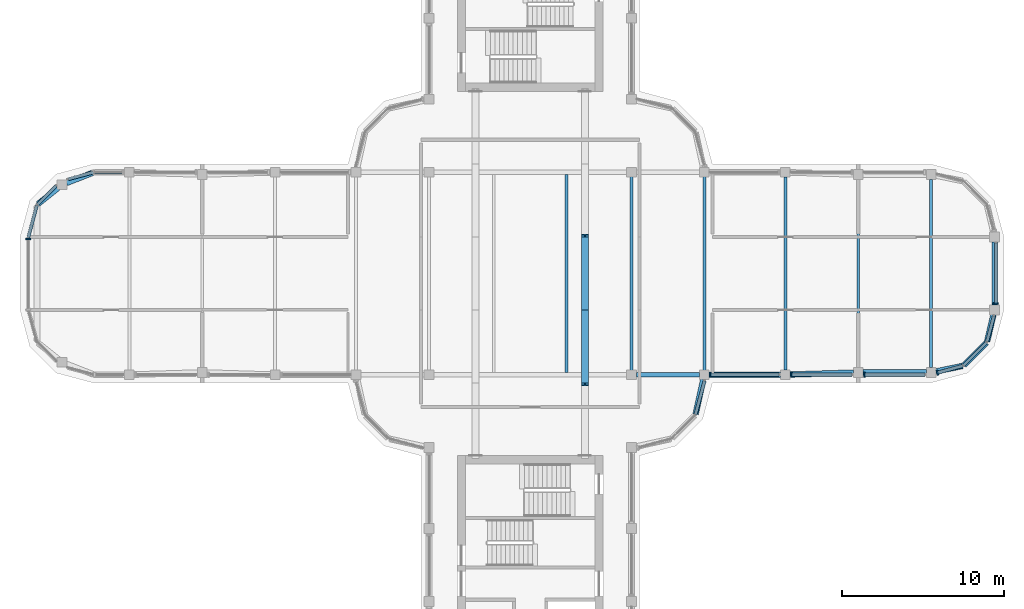
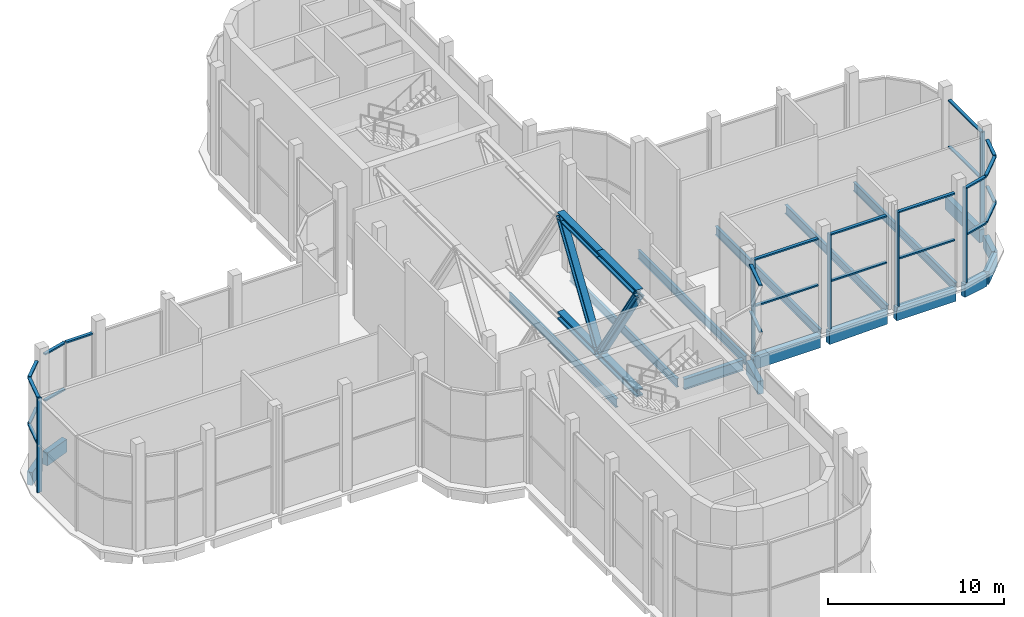
# One storey, part 4 of 15: 35 members, 17 beams, 11 elements without a shape of their own.
"""IFC4 building model written with IfcOpenShell, lengths in metres."""

from ifc_helpers import new_model, si_unit, direction, frame, origin, origin_2d, place, context, subcontext, project, spatial, polyline, rectangle, i_section, outline, extrude, source, transform, mapped, material, material_profile, profile_set, type_object, element, aggregate, save


model = new_model("IFC4")

# Units and contexts
model_context = context("Model", 3, precision=1e-05, world=origin(), true_north=direction((0.0, 1.0)))
body_context = subcontext(model_context, "Body", "Model", "MODEL_VIEW")
ifc_project = project(units=[si_unit("LENGTHUNIT", "METRE"), si_unit("AREAUNIT", "SQUARE_METRE"), si_unit("VOLUMEUNIT", "CUBIC_METRE"), si_unit("PLANEANGLEUNIT", "RADIAN"), si_unit("MASSUNIT", "GRAM", prefix="KILO")], contexts=[model_context])

# Site, building, storey
site_placement = place(None, origin())
site = spatial("IfcSite", under=ifc_project, at=site_placement, CompositionType="ELEMENT")
building_placement = place(site_placement, origin())
building = spatial("IfcBuilding", under=site, at=building_placement, Name="Zarbagh Exchange Tower", CompositionType="ELEMENT")
storey_placement = place(building_placement, frame((0.0, 0.0, 284.0)))
storey = spatial("IfcBuildingStorey", under=building, at=storey_placement, Name="L70", CompositionType="ELEMENT", Elevation=284.0)

# Beams
ifc_material_1 = material(Name="Steel ASTM A992 Gr 50", Category="steel")
ifc_material_profile_1 = material_profile(ifc_material_1, i_section(OverallWidth=0.1787109375, OverallDepth=0.60205078125, WebThickness=0.010986328125, FlangeThickness=0.014892578125, at=origin_2d()), Name="W24X62")
ifc_profile_set_1 = profile_set([ifc_material_profile_1], Name="Steel ASTM A992 Gr 50")
beam_type_1 = type_object("IfcBeamType", Name="Floor beam W24X62", PredefinedType="BEAM", material=ifc_profile_set_1)
for number, where, z_axis, x_axis, name in (
    (1, (2.25, -6.117919921875, -0.450927734375), (0.0, 1.0, 0.0), (-1.0, 0.0, 0.0), "Steel floor beam"),
    (2, (6.25, -6.117919921875, -0.450927734375), (0.0, 1.0, 0.0), (-1.0, 0.0, 0.0), "Steel floor beam"),
    (3, (10.75, -6.117919921875, -0.450927734375), (0.0, 1.0, 0.0), (-1.0, 0.0, 0.0), "Steel floor beam"),
):
    element("IfcBeam", number, at=place(storey_placement, frame(where, z_axis=z_axis, x_axis=x_axis)), inside=storey, type_object=beam_type_1, Name=name, PredefinedType="BEAM", context=body_context, shape_type="SweptSolid", body=[
        extrude(i_section(OverallWidth=0.1787109375, OverallDepth=0.60205078125, WebThickness=0.010986328125, FlangeThickness=0.014892578125, at=origin_2d()), origin(), (0.0, 0.0, 1.0), 12.23583984375),
    ])
beam_1_placement = place(storey_placement, frame((15.75, -5.949951171875, -0.450927734375), z_axis=(0.0, 1.0, 0.0), x_axis=(-1.0, 0.0, 0.0)))
element("IfcBeam", 4, at=beam_1_placement, inside=storey, type_object=beam_type_1, Name="Steel floor beam", PredefinedType="BEAM", context=body_context, shape_type="SweptSolid", body=[
    extrude(i_section(OverallWidth=0.1787109375, OverallDepth=0.60205078125, WebThickness=0.010986328125, FlangeThickness=0.014892578125, at=origin_2d()), origin(), (0.0, 0.0, 1.0), 11.89990234375),
])
for number, where, z_axis, x_axis, name in (
    (5, (20.25, -5.81005859375, -0.450927734375), (0.0, 1.0, 0.0), (-1.0, 0.0, 0.0), "Steel floor beam"),
    (6, (24.75, -5.81005859375, -0.450927734375), (0.0, 1.0, 0.0), (-1.0, 0.0, 0.0), "Steel floor beam"),
):
    element("IfcBeam", number, at=place(storey_placement, frame(where, z_axis=z_axis, x_axis=x_axis)), inside=storey, type_object=beam_type_1, Name=name, PredefinedType="BEAM", context=body_context, shape_type="SweptSolid", body=[
        extrude(i_section(OverallWidth=0.1787109375, OverallDepth=0.60205078125, WebThickness=0.010986328125, FlangeThickness=0.014892578125, at=origin_2d()), origin(), (0.0, 0.0, 1.0), 11.6201171875),
    ])
ifc_material_profile_2 = material_profile(ifc_material_1, i_section(OverallWidth=0.26416015625, OverallDepth=0.749267578125, WebThickness=0.011962890625, FlangeThickness=0.015380859375, at=origin_2d()), Name="W30X90")
ifc_profile_set_2 = profile_set([ifc_material_profile_2], Name="Steel ASTM A992 Gr 50")
beam_type_2 = type_object("IfcBeamType", Name="Floor girder W30X90", PredefinedType="BEAM", material=ifc_profile_set_2)
beam_2_placement = place(storey_placement, frame((6.550048828125, -6.25, -0.524658203125), z_axis=(1.0, 0.0, 0.0), x_axis=(0.0, 1.0, 0.0)))
element("IfcBeam", 7, at=beam_2_placement, inside=storey, type_object=beam_type_2, Name="Steel girder", PredefinedType="BEAM", context=body_context, shape_type="SweptSolid", body=[
    extrude(i_section(OverallWidth=0.26416015625, OverallDepth=0.749267578125, WebThickness=0.011962890625, FlangeThickness=0.015380859375, at=origin_2d()), origin(), (0.0, 0.0, 1.0), 3.89990234375),
])
ifc_material_2 = material(Name="Concrete C40/50", Category="concrete")
ifc_material_profile_3 = material_profile(ifc_material_2, rectangle(XDim=0.35009765625, YDim=0.89990234375, at=origin_2d()), Name="RC spandrel beam 350 x 900 C40/50")
ifc_profile_set_3 = profile_set([ifc_material_profile_3], Name="Concrete C40/50")
beam_type_3 = type_object("IfcBeamType", Name="RC spandrel beam 350 x 900 C40/50", PredefinedType="SPANDREL", material=ifc_profile_set_3)
beam_3_placement = place(storey_placement, frame((-30.38330078125, 4.293701171875, -0.60009765625), z_axis=(0.780584122498, 0.625050740104, 0.0), x_axis=(-0.625050740104, 0.780584122498, 0.0)))
element("IfcBeam", 8, at=beam_3_placement, inside=storey, type_object=beam_type_3, Name="RC spandrel beam", PredefinedType="SPANDREL", context=body_context, shape_type="SweptSolid", body=[
    extrude(rectangle(XDim=0.35009765625, YDim=0.89990234375, at=origin_2d()), origin(), (0.0, 0.0, 1.0), 1.590087890625),
])
beam_4_placement = place(storey_placement, frame((-28.62890625, 5.584716796875, -0.60009765625), z_axis=(0.930859366381, 0.365377667655, 0.0), x_axis=(-0.365377667655, 0.930859366381, 0.0)))
element("IfcBeam", 9, at=beam_4_placement, inside=storey, type_object=beam_type_3, Name="RC spandrel beam", PredefinedType="SPANDREL", context=body_context, shape_type="SweptSolid", body=[
    extrude(rectangle(XDim=0.35009765625, YDim=0.89990234375, at=origin_2d()), origin(), (0.0, 0.0, 1.0), 1.787353515625),
])
beam_5_placement = place(storey_placement, frame((28.669921875, 1.949951171875, -0.60009765625), z_axis=(0.0, -1.0, 0.0), x_axis=(1.0, 0.0, 0.0)))
element("IfcBeam", 10, at=beam_5_placement, inside=storey, type_object=beam_type_3, Name="RC spandrel beam", PredefinedType="SPANDREL", context=body_context, shape_type="SweptSolid", body=[
    extrude(rectangle(XDim=0.35009765625, YDim=0.89990234375, at=origin_2d()), origin(), (0.0, 0.0, 1.0), 3.89990234375),
])
beam_6_placement = place(storey_placement, frame((28.600830078125, -2.5419921875, -0.60009765625), z_axis=(-0.230258391117, -0.973129525459, 0.0), x_axis=(0.973129525459, -0.230258391117, 0.0)))
element("IfcBeam", 11, at=beam_6_placement, inside=storey, type_object=beam_type_3, Name="RC spandrel beam", PredefinedType="SPANDREL", context=body_context, shape_type="SweptSolid", body=[
    extrude(rectangle(XDim=0.35009765625, YDim=0.89990234375, at=origin_2d()), origin(), (0.0, 0.0, 1.0), 1.696533203125),
])
beam_7_placement = place(storey_placement, frame((28.163818359375, -4.2763671875, -0.60009765625), z_axis=(-0.707106781187, -0.707106781187, 0.0), x_axis=(0.707106781187, -0.707106781187, 0.0)))
element("IfcBeam", 12, at=beam_7_placement, inside=storey, type_object=beam_type_3, Name="RC spandrel beam", PredefinedType="SPANDREL", context=body_context, shape_type="SweptSolid", body=[
    extrude(rectangle(XDim=0.35009765625, YDim=0.89990234375, at=origin_2d()), origin(), (0.0, 0.0, 1.0), 1.95947265625),
])
beam_8_placement = place(storey_placement, frame((26.68994140625, -5.70947265625, -0.60009765625), z_axis=(-0.979349753205, -0.202173343684, 0.0), x_axis=(0.202173343684, -0.979349753205, 0.0)))
element("IfcBeam", 13, at=beam_8_placement, inside=storey, type_object=beam_type_3, Name="RC spandrel beam", PredefinedType="SPANDREL", context=body_context, shape_type="SweptSolid", body=[
    extrude(rectangle(XDim=0.35009765625, YDim=0.89990234375, at=origin_2d()), origin(), (0.0, 0.0, 1.0), 1.680908203125),
])
beam_9_placement = place(storey_placement, frame((24.449951171875, -6.110107421875, -0.60009765625), z_axis=(-1.0, 0.0, 0.0), x_axis=(0.0, -1.0, 0.0)))
element("IfcBeam", 14, at=beam_9_placement, inside=storey, type_object=beam_type_3, Name="RC spandrel beam", PredefinedType="SPANDREL", context=body_context, shape_type="SweptSolid", body=[
    extrude(rectangle(XDim=0.35009765625, YDim=0.89990234375, at=origin_2d()), origin(), (0.0, 0.0, 1.0), 3.89990234375),
])
beam_10_placement = place(storey_placement, frame((19.9501953125, -6.119384765625, -0.60009765625), z_axis=(-0.999516460907, -0.031094121249, 0.0), x_axis=(0.031094121249, -0.999516460907, 0.0)))
element("IfcBeam", 15, at=beam_10_placement, inside=storey, type_object=beam_type_3, Name="RC spandrel beam", PredefinedType="SPANDREL", context=body_context, shape_type="SweptSolid", body=[
    extrude(rectangle(XDim=0.35009765625, YDim=0.89990234375, at=origin_2d()), origin(), (0.0, 0.0, 1.0), 3.90234375),
])
beam_11_placement = place(storey_placement, frame((15.449951171875, -6.25, -0.60009765625), z_axis=(-1.0, 0.0, 0.0), x_axis=(0.0, -1.0, 0.0)))
element("IfcBeam", 16, at=beam_11_placement, inside=storey, type_object=beam_type_3, Name="RC spandrel beam", PredefinedType="SPANDREL", context=body_context, shape_type="SweptSolid", body=[
    extrude(rectangle(XDim=0.35009765625, YDim=0.89990234375, at=origin_2d()), origin(), (0.0, 0.0, 1.0), 4.39990234375),
])
beam_12_placement = place(storey_placement, frame((10.685302734375, -6.54296875, -0.60009765625), z_axis=(-0.216025770228, -0.976387662047, 0.0), x_axis=(0.976387662047, -0.216025770228, 0.0)))
element("IfcBeam", 17, at=beam_12_placement, inside=storey, type_object=beam_type_3, Name="RC spandrel beam", PredefinedType="SPANDREL", context=body_context, shape_type="SweptSolid", body=[
    extrude(rectangle(XDim=0.35009765625, YDim=0.89990234375, at=origin_2d()), origin(), (0.0, 0.0, 1.0), 2.200439453125),
])

# Members
ifc_material_profile_4 = material_profile(ifc_material_1, i_section(OverallWidth=0.43701171875, OverallDepth=0.51318359375, WebThickness=0.060546875, FlangeThickness=0.096923828125, at=origin_2d()), Name="W14X550")
ifc_profile_set_4 = profile_set([ifc_material_profile_4], Name="Steel ASTM A992 Gr 50")
member_type_1 = type_object("IfcMemberType", Name="Tuned mass damper support truss chord W14X550", PredefinedType="CHORD", material=ifc_profile_set_4)
for number, where, z_axis, x_axis, name in (
    (18, (3.375, -6.75, 0.256591796875), (0.0, 1.0, 0.0), (-1.0, 0.0, 0.0), "Tuned mass damper support truss chord"),
    (19, (3.375, -6.75, 7.193603515625), (0.0, 1.0, 0.0), (-1.0, 0.0, 0.0), "Tuned mass damper support truss chord"),
    (20, (3.375, -2.25, 0.256591796875), (0.0, 1.0, 0.0), (-1.0, 0.0, 0.0), "Tuned mass damper support truss chord"),
    (21, (3.375, -2.25, 7.193603515625), (0.0, 1.0, 0.0), (-1.0, 0.0, 0.0), "Tuned mass damper support truss chord"),
):
    element("IfcMember", number, at=place(storey_placement, frame(where, z_axis=z_axis, x_axis=x_axis)), inside=storey, type_object=member_type_1, Name=name, PredefinedType="CHORD", context=body_context, shape_type="SweptSolid", body=[
        extrude(i_section(OverallWidth=0.43701171875, OverallDepth=0.51318359375, WebThickness=0.060546875, FlangeThickness=0.096923828125, at=origin_2d()), origin(), (0.0, 0.0, 1.0), 4.5),
    ])
ifc_material_profile_5 = material_profile(ifc_material_1, i_section(OverallWidth=0.421630859375, OverallDepth=0.46484375, WebThickness=0.044921875, FlangeThickness=0.072509765625, at=origin_2d()), Name="W14X398")
ifc_profile_set_5 = profile_set([ifc_material_profile_5], Name="Steel ASTM A992 Gr 50")
member_type_2 = type_object("IfcMemberType", Name="Tuned mass damper support truss diagonal W14X398", PredefinedType="BRACE", material=ifc_profile_set_5)
for number, where, z_axis, x_axis, name in (
    (22, (3.375, -2.25, 0.256591796875), (0.0, -0.544218065064, 0.838943798867), (1.0, 0.0, 0.0), "Tuned mass damper support truss diagonal"),
    (23, (3.375, -2.25, 0.256591796875), (0.0, 0.544218065064, 0.838943798867), (-1.0, 0.0, 0.0), "Tuned mass damper support truss diagonal"),
):
    element("IfcMember", number, at=place(storey_placement, frame(where, z_axis=z_axis, x_axis=x_axis)), inside=storey, type_object=member_type_2, Name=name, PredefinedType="BRACE", context=body_context, shape_type="SweptSolid", body=[
        extrude(i_section(OverallWidth=0.421630859375, OverallDepth=0.46484375, WebThickness=0.044921875, FlangeThickness=0.072509765625, at=origin_2d()), origin(), (0.0, 0.0, 1.0), 8.268798828125),
    ])

# Curtain wall, members
ifc_material_3 = material(Name="Anodised aluminium frame and glazing", Category="aluminium")
curtain_wall_type = type_object("IfcCurtainWallType", Name="CWE Damper-floor glazed wall", PredefinedType="NOTDEFINED", material=ifc_material_3)
curtain_wall_1_placement = place(storey_placement, origin())
curtain_wall_1 = element("IfcCurtainWall", 24, at=curtain_wall_1_placement, inside=storey, type_object=curtain_wall_type, Name="CWE08 curtain wall", PredefinedType="NOTDEFINED")
ifc_material_4 = material(Name="Anodised aluminium frame", Category="aluminium")
member_type_3 = type_object("IfcMemberType", Name="MUE Mullion, anodised aluminium frame", PredefinedType="MULLION", material=ifc_material_4)
shared_shape_1 = source(origin(), body_context, "Body", "SweptSolid", [
    extrude(outline(polyline([(0.0, -0.14990234375), (0.10009765625, -0.14990234375), (0.10009765625, 0.14990234375), (0.0, 0.14990234375), (0.0, -0.14990234375)])), origin(), (0.0, 0.0, 1.0), 6.550048828125),
])
placement = place(storey_placement, origin())
member_1 = element("IfcMember", 25, at=placement, type_object=member_type_3, Name="CWE08 mullion 1.1", PredefinedType="MULLION", context=body_context, shape_type="MappedRepresentation", body=[
    mapped(shared_shape_1, transform((11.090087890625, -6.25, 0.0), x_axis=(1.0, 0.0, 0.0), y_axis=(0.0, 1.0, 0.0), z_axis=(0.0, 0.0, 1.0))),
])
member_2 = element("IfcMember", 26, at=placement, type_object=member_type_3, Name="CWE08 mullion 2.1", PredefinedType="MULLION", context=body_context, shape_type="MappedRepresentation", body=[
    mapped(shared_shape_1, transform((16.090087890625, -6.25, 0.0), x_axis=(1.0, 0.0, 0.0), y_axis=(0.0, 1.0, 0.0), z_axis=(0.0, 0.0, 1.0))),
])
member_3 = element("IfcMember", 27, at=placement, type_object=member_type_3, Name="CWE08 mullion 3.1", PredefinedType="MULLION", context=body_context, shape_type="MappedRepresentation", body=[
    mapped(shared_shape_1, transform((20.590087890625, -6.25, 0.0), x_axis=(1.0, 0.0, 0.0), y_axis=(0.0, 1.0, 0.0), z_axis=(0.0, 0.0, 1.0))),
])

# Curtain wall, member
curtain_wall_2_placement = place(storey_placement, origin())
curtain_wall_2 = element("IfcCurtainWall", 28, at=curtain_wall_2_placement, inside=storey, type_object=curtain_wall_type, Name="CWE09 curtain wall", PredefinedType="NOTDEFINED")
member_4 = element("IfcMember", 29, at=placement, type_object=member_type_3, Name="CWE09 mullion 1.1", PredefinedType="MULLION", context=body_context, shape_type="MappedRepresentation", body=[
    mapped(shared_shape_1, transform((25.08984375, -6.141357421875, 0.0), x_axis=(0.965924289636, 0.258824779902, 0.0), y_axis=(-0.258824779902, 0.965924289636, 0.0), z_axis=(0.0, 0.0, 1.0))),
])

curtain_wall_3_placement = place(storey_placement, origin())
curtain_wall_3 = element("IfcCurtainWall", 30, at=curtain_wall_3_placement, inside=storey, type_object=curtain_wall_type, Name="CWE12 curtain wall", PredefinedType="NOTDEFINED")
member_5 = element("IfcMember", 31, at=placement, type_object=member_type_3, Name="CWE12 mullion 1.1", PredefinedType="MULLION", context=body_context, shape_type="MappedRepresentation", body=[
    mapped(shared_shape_1, transform((28.75, -1.909912109375, 0.0), x_axis=(0.0, 1.0, 0.0), y_axis=(-1.0, 0.0, 0.0), z_axis=(0.0, 0.0, 1.0))),
])

curtain_wall_4_placement = place(storey_placement, origin())
curtain_wall_4 = element("IfcCurtainWall", 32, at=curtain_wall_4_placement, inside=storey, type_object=curtain_wall_type, Name="CWE35 curtain wall", PredefinedType="NOTDEFINED")
member_6 = element("IfcMember", 33, at=placement, type_object=member_type_3, Name="CWE35 mullion 1.1", PredefinedType="MULLION", context=body_context, shape_type="MappedRepresentation", body=[
    mapped(shared_shape_1, transform((-31.0, 2.18408203125, 0.0), x_axis=(0.0, -1.0, 0.0), y_axis=(1.0, 0.0, 0.0), z_axis=(0.0, 0.0, 1.0))),
])
aggregate(curtain_wall_4, [member_6])

# Curtain wall, members
curtain_wall_5_placement = place(storey_placement, origin())
curtain_wall_5 = element("IfcCurtainWall", 34, at=curtain_wall_5_placement, inside=storey, type_object=curtain_wall_type, Name="CWE34 curtain wall", PredefinedType="NOTDEFINED")
member_type_4 = type_object("IfcMemberType", Name="TRE Transom, anodised aluminium frame", PredefinedType="USERDEFINED", material=ifc_material_4)
shared_shape_2 = source(origin(), body_context, "Body", "SweptSolid", [
    extrude(outline(polyline([(-0.10009765625, -0.10009765625), (0.0, -0.10009765625), (0.0, 0.10009765625), (-0.10009765625, 0.10009765625), (-0.10009765625, -0.10009765625)])), origin(), (0.0, 0.0, 1.0), 2.049560546875),
])
member_7 = element("IfcMember", 35, at=placement, type_object=member_type_4, Name="CWE34 transom 1.1", ObjectType="TRANSOM", PredefinedType="USERDEFINED", context=body_context, shape_type="MappedRepresentation", body=[
    mapped(shared_shape_2, transform((-30.459228515625, 4.20263671875, 6.550048828125), x_axis=(0.0, 0.0, 1.0), y_axis=(-0.965924289636, 0.258824779902, 0.0), z_axis=(-0.258824779902, -0.965924289636, 0.0))),
])
shared_shape_3 = source(origin(), body_context, "Body", "SweptSolid", [
    extrude(outline(polyline([(-0.050048828125, -0.10009765625), (0.050048828125, -0.10009765625), (0.050048828125, 0.10009765625), (-0.050048828125, 0.10009765625), (-0.050048828125, -0.10009765625)])), origin(), (0.0, 0.0, 1.0), 2.049560546875),
])
member_8 = element("IfcMember", 36, at=placement, type_object=member_type_4, Name="CWE34 mid transom 1", ObjectType="TRANSOM", PredefinedType="USERDEFINED", context=body_context, shape_type="MappedRepresentation", body=[
    mapped(shared_shape_3, transform((-30.459228515625, 4.20263671875, 3.27490234375), x_axis=(0.0, 0.0, 1.0), y_axis=(-0.965924289636, 0.258824779902, 0.0), z_axis=(-0.258824779902, -0.965924289636, 0.0))),
])
aggregate(curtain_wall_5, [member_7, member_8])

curtain_wall_6_placement = place(storey_placement, origin())
curtain_wall_6 = element("IfcCurtainWall", 37, at=curtain_wall_6_placement, inside=storey, type_object=curtain_wall_type, Name="CWE10 curtain wall", PredefinedType="NOTDEFINED")
shared_shape_4 = source(origin(), body_context, "Body", "SweptSolid", [
    extrude(outline(polyline([(-0.10009765625, -0.10009765625), (0.0, -0.10009765625), (0.0, 0.10009765625), (-0.10009765625, 0.10009765625), (-0.10009765625, -0.10009765625)])), origin(), (0.0, 0.0, 1.0), 1.9814453125),
])
member_9 = element("IfcMember", 38, at=placement, type_object=member_type_4, Name="CWE10 transom 1.1", ObjectType="TRANSOM", PredefinedType="USERDEFINED", context=body_context, shape_type="MappedRepresentation", body=[
    mapped(shared_shape_4, transform((26.76953125, -5.67041015625, 6.550048828125), x_axis=(0.0, 0.0, 1.0), y_axis=(0.707106781187, -0.707106781187, 0.0), z_axis=(0.707106781187, 0.707106781187, 0.0))),
])
shared_shape_5 = source(origin(), body_context, "Body", "SweptSolid", [
    extrude(outline(polyline([(-0.050048828125, -0.10009765625), (0.050048828125, -0.10009765625), (0.050048828125, 0.10009765625), (-0.050048828125, 0.10009765625), (-0.050048828125, -0.10009765625)])), origin(), (0.0, 0.0, 1.0), 1.9814453125),
])
member_10 = element("IfcMember", 39, at=placement, type_object=member_type_4, Name="CWE10 mid transom 1", ObjectType="TRANSOM", PredefinedType="USERDEFINED", context=body_context, shape_type="MappedRepresentation", body=[
    mapped(shared_shape_5, transform((26.76953125, -5.67041015625, 3.27490234375), x_axis=(0.0, 0.0, 1.0), y_axis=(0.707106781187, -0.707106781187, 0.0), z_axis=(0.707106781187, 0.707106781187, 0.0))),
])
aggregate(curtain_wall_6, [member_9, member_10])

# Member
shared_shape_6 = source(origin(), body_context, "Body", "SweptSolid", [
    extrude(outline(polyline([(-0.10009765625, -0.10009765625), (0.0, -0.10009765625), (0.0, 0.10009765625), (-0.10009765625, 0.10009765625), (-0.10009765625, -0.10009765625)])), origin(), (0.0, 0.0, 1.0), 3.739990234375),
])
member_11 = element("IfcMember", 40, at=placement, type_object=member_type_4, Name="CWE08 transom 2.1", ObjectType="TRANSOM", PredefinedType="USERDEFINED", context=body_context, shape_type="MappedRepresentation", body=[
    mapped(shared_shape_6, transform((16.130126953125, -6.25, 6.550048828125), x_axis=(0.0, 0.0, 1.0), y_axis=(0.0, -1.0, 0.0), z_axis=(1.0, 0.0, 0.0))),
])

member_12 = element("IfcMember", 41, at=placement, type_object=member_type_4, Name="CWE08 transom 3.1", ObjectType="TRANSOM", PredefinedType="USERDEFINED", context=body_context, shape_type="MappedRepresentation", body=[
    mapped(shared_shape_6, transform((20.630126953125, -6.25, 6.550048828125), x_axis=(0.0, 0.0, 1.0), y_axis=(0.0, -1.0, 0.0), z_axis=(1.0, 0.0, 0.0))),
])

member_13 = element("IfcMember", 42, at=placement, type_object=member_type_4, Name="CWE12 transom 1.1", ObjectType="TRANSOM", PredefinedType="USERDEFINED", context=body_context, shape_type="MappedRepresentation", body=[
    mapped(shared_shape_6, transform((28.75, -1.869873046875, 6.550048828125), x_axis=(0.0, 0.0, 1.0), y_axis=(1.0, 0.0, 0.0), z_axis=(0.0, 1.0, 0.0))),
])

shared_shape_7 = source(origin(), body_context, "Body", "SweptSolid", [
    extrude(outline(polyline([(-0.050048828125, -0.10009765625), (0.050048828125, -0.10009765625), (0.050048828125, 0.10009765625), (-0.050048828125, 0.10009765625), (-0.050048828125, -0.10009765625)])), origin(), (0.0, 0.0, 1.0), 3.739990234375),
])
member_14 = element("IfcMember", 43, at=placement, type_object=member_type_4, Name="CWE08 mid transom 2", ObjectType="TRANSOM", PredefinedType="USERDEFINED", context=body_context, shape_type="MappedRepresentation", body=[
    mapped(shared_shape_7, transform((16.130126953125, -6.25, 3.27490234375), x_axis=(0.0, 0.0, 1.0), y_axis=(0.0, -1.0, 0.0), z_axis=(1.0, 0.0, 0.0))),
])

member_15 = element("IfcMember", 44, at=placement, type_object=member_type_4, Name="CWE08 mid transom 3", ObjectType="TRANSOM", PredefinedType="USERDEFINED", context=body_context, shape_type="MappedRepresentation", body=[
    mapped(shared_shape_7, transform((20.630126953125, -6.25, 3.27490234375), x_axis=(0.0, 0.0, 1.0), y_axis=(0.0, -1.0, 0.0), z_axis=(1.0, 0.0, 0.0))),
])

member_16 = element("IfcMember", 45, at=placement, type_object=member_type_4, Name="CWE12 mid transom 1", ObjectType="TRANSOM", PredefinedType="USERDEFINED", context=body_context, shape_type="MappedRepresentation", body=[
    mapped(shared_shape_7, transform((28.75, -1.869873046875, 3.27490234375), x_axis=(0.0, 0.0, 1.0), y_axis=(1.0, 0.0, 0.0), z_axis=(0.0, 1.0, 0.0))),
])

aggregate(curtain_wall_3, [member_5, member_13, member_16])

shared_shape_8 = source(origin(), body_context, "Body", "SweptSolid", [
    extrude(outline(polyline([(-0.10009765625, -0.10009765625), (0.0, -0.10009765625), (0.0, 0.10009765625), (-0.10009765625, 0.10009765625), (-0.10009765625, -0.10009765625)])), origin(), (0.0, 0.0, 1.0), 4.239990234375),
])
member_17 = element("IfcMember", 46, at=placement, type_object=member_type_4, Name="CWE08 transom 1.1", ObjectType="TRANSOM", PredefinedType="USERDEFINED", context=body_context, shape_type="MappedRepresentation", body=[
    mapped(shared_shape_8, transform((11.130126953125, -6.25, 6.550048828125), x_axis=(0.0, 0.0, 1.0), y_axis=(0.0, -1.0, 0.0), z_axis=(1.0, 0.0, 0.0))),
])

shared_shape_9 = source(origin(), body_context, "Body", "SweptSolid", [
    extrude(outline(polyline([(-0.050048828125, -0.10009765625), (0.050048828125, -0.10009765625), (0.050048828125, 0.10009765625), (-0.050048828125, 0.10009765625), (-0.050048828125, -0.10009765625)])), origin(), (0.0, 0.0, 1.0), 4.239990234375),
])
member_18 = element("IfcMember", 47, at=placement, type_object=member_type_4, Name="CWE08 mid transom 1", ObjectType="TRANSOM", PredefinedType="USERDEFINED", context=body_context, shape_type="MappedRepresentation", body=[
    mapped(shared_shape_9, transform((11.130126953125, -6.25, 3.27490234375), x_axis=(0.0, 0.0, 1.0), y_axis=(0.0, -1.0, 0.0), z_axis=(1.0, 0.0, 0.0))),
])

aggregate(curtain_wall_1, [member_1, member_17, member_18, member_2, member_11, member_14, member_3, member_12, member_15])

# Curtain wall, members
curtain_wall_7_placement = place(storey_placement, origin())
curtain_wall_7 = element("IfcCurtainWall", 48, at=curtain_wall_7_placement, inside=storey, type_object=curtain_wall_type, Name="CWE07 curtain wall", PredefinedType="NOTDEFINED")
shared_shape_10 = source(origin(), body_context, "Body", "SweptSolid", [
    extrude(outline(polyline([(-0.10009765625, -0.10009765625), (0.0, -0.10009765625), (0.0, 0.10009765625), (-0.10009765625, 0.10009765625), (-0.10009765625, -0.10009765625)])), origin(), (0.0, 0.0, 1.0), 2.147216796875),
])
member_19 = element("IfcMember", 49, at=placement, type_object=member_type_4, Name="CWE07 transom 1.1", ObjectType="TRANSOM", PredefinedType="USERDEFINED", context=body_context, shape_type="MappedRepresentation", body=[
    mapped(shared_shape_10, transform((10.209228515625, -8.70263671875, 6.550048828125), x_axis=(0.0, 0.0, 1.0), y_axis=(0.965924289636, -0.258824779902, 0.0), z_axis=(0.258824779902, 0.965924289636, 0.0))),
])
shared_shape_11 = source(origin(), body_context, "Body", "SweptSolid", [
    extrude(outline(polyline([(-0.050048828125, -0.10009765625), (0.050048828125, -0.10009765625), (0.050048828125, 0.10009765625), (-0.050048828125, 0.10009765625), (-0.050048828125, -0.10009765625)])), origin(), (0.0, 0.0, 1.0), 2.147216796875),
])
member_20 = element("IfcMember", 50, at=placement, type_object=member_type_4, Name="CWE07 mid transom 1", ObjectType="TRANSOM", PredefinedType="USERDEFINED", context=body_context, shape_type="MappedRepresentation", body=[
    mapped(shared_shape_11, transform((10.209228515625, -8.70263671875, 3.27490234375), x_axis=(0.0, 0.0, 1.0), y_axis=(0.965924289636, -0.258824779902, 0.0), z_axis=(0.258824779902, 0.965924289636, 0.0))),
])
aggregate(curtain_wall_7, [member_19, member_20])

# Member
shared_shape_12 = source(origin(), body_context, "Body", "SweptSolid", [
    extrude(outline(polyline([(-0.10009765625, -0.10009765625), (0.0, -0.10009765625), (0.0, 0.10009765625), (-0.10009765625, 0.10009765625), (-0.10009765625, -0.10009765625)])), origin(), (0.0, 0.0, 1.0), 1.62939453125),
])
member_21 = element("IfcMember", 51, at=placement, type_object=member_type_4, Name="CWE09 transom 1.1", ObjectType="TRANSOM", PredefinedType="USERDEFINED", context=body_context, shape_type="MappedRepresentation", body=[
    mapped(shared_shape_12, transform((25.128662109375, -6.130859375, 6.550048828125), x_axis=(0.0, 0.0, 1.0), y_axis=(0.258824779902, -0.965924289636, 0.0), z_axis=(0.965924289636, 0.258824779902, 0.0))),
])

# Curtain wall, member
curtain_wall_8_placement = place(storey_placement, origin())
curtain_wall_8 = element("IfcCurtainWall", 52, at=curtain_wall_8_placement, inside=storey, type_object=curtain_wall_type, Name="CWE11 curtain wall", PredefinedType="NOTDEFINED")
member_22 = element("IfcMember", 53, at=placement, type_object=member_type_4, Name="CWE11 transom 1.1", ObjectType="TRANSOM", PredefinedType="USERDEFINED", context=body_context, shape_type="MappedRepresentation", body=[
    mapped(shared_shape_12, transform((28.209228515625, -4.20263671875, 6.550048828125), x_axis=(0.0, 0.0, 1.0), y_axis=(0.965924289636, -0.258824779902, 0.0), z_axis=(0.258824779902, 0.965924289636, 0.0))),
])

# Member
shared_shape_13 = source(origin(), body_context, "Body", "SweptSolid", [
    extrude(outline(polyline([(-0.050048828125, -0.10009765625), (0.050048828125, -0.10009765625), (0.050048828125, 0.10009765625), (-0.050048828125, 0.10009765625), (-0.050048828125, -0.10009765625)])), origin(), (0.0, 0.0, 1.0), 1.62939453125),
])
member_23 = element("IfcMember", 54, at=placement, type_object=member_type_4, Name="CWE09 mid transom 1", ObjectType="TRANSOM", PredefinedType="USERDEFINED", context=body_context, shape_type="MappedRepresentation", body=[
    mapped(shared_shape_13, transform((25.128662109375, -6.130859375, 3.27490234375), x_axis=(0.0, 0.0, 1.0), y_axis=(0.258824779902, -0.965924289636, 0.0), z_axis=(0.965924289636, 0.258824779902, 0.0))),
])

aggregate(curtain_wall_2, [member_4, member_21, member_23])

member_24 = element("IfcMember", 55, at=placement, type_object=member_type_4, Name="CWE11 mid transom 1", ObjectType="TRANSOM", PredefinedType="USERDEFINED", context=body_context, shape_type="MappedRepresentation", body=[
    mapped(shared_shape_13, transform((28.209228515625, -4.20263671875, 3.27490234375), x_axis=(0.0, 0.0, 1.0), y_axis=(0.965924289636, -0.258824779902, 0.0), z_axis=(0.258824779902, 0.965924289636, 0.0))),
])

aggregate(curtain_wall_8, [member_22, member_24])

# Curtain wall, member
curtain_wall_9_placement = place(storey_placement, origin())
curtain_wall_9 = element("IfcCurtainWall", 56, at=curtain_wall_9_placement, inside=storey, type_object=curtain_wall_type, Name="CWE31 curtain wall", PredefinedType="NOTDEFINED")
shared_shape_14 = source(origin(), body_context, "Body", "SweptSolid", [
    extrude(outline(polyline([(-0.10009765625, -0.10009765625), (0.0, -0.10009765625), (0.0, 0.10009765625), (-0.10009765625, 0.10009765625), (-0.10009765625, -0.10009765625)])), origin(), (0.0, 0.0, 1.0), 1.76416015625),
])
member_25 = element("IfcMember", 57, at=placement, type_object=member_type_4, Name="CWE31 transom 4.1", ObjectType="TRANSOM", PredefinedType="USERDEFINED", context=body_context, shape_type="MappedRepresentation", body=[
    mapped(shared_shape_14, transform((-25.130126953125, 6.25, 6.550048828125), x_axis=(0.0, 0.0, 1.0), y_axis=(0.0, 1.0, 0.0), z_axis=(-1.0, 0.0, 0.0))),
])
aggregate(curtain_wall_9, [member_25])

# Curtain wall, members
curtain_wall_10_placement = place(storey_placement, origin())
curtain_wall_10 = element("IfcCurtainWall", 58, at=curtain_wall_10_placement, inside=storey, type_object=curtain_wall_type, Name="CWE32 curtain wall", PredefinedType="NOTDEFINED")
shared_shape_15 = source(origin(), body_context, "Body", "SweptSolid", [
    extrude(outline(polyline([(-0.10009765625, -0.10009765625), (0.0, -0.10009765625), (0.0, 0.10009765625), (-0.10009765625, 0.10009765625), (-0.10009765625, -0.10009765625)])), origin(), (0.0, 0.0, 1.0), 1.611572265625),
])
member_26 = element("IfcMember", 59, at=placement, type_object=member_type_4, Name="CWE32 transom 1.1", ObjectType="TRANSOM", PredefinedType="USERDEFINED", context=body_context, shape_type="MappedRepresentation", body=[
    mapped(shared_shape_15, transform((-26.972900390625, 6.23974609375, 6.550048828125), x_axis=(0.0, 0.0, 1.0), y_axis=(-0.258824779902, 0.965924289636, 0.0), z_axis=(-0.965924289636, -0.258824779902, 0.0))),
])
shared_shape_16 = source(origin(), body_context, "Body", "SweptSolid", [
    extrude(outline(polyline([(-0.050048828125, -0.10009765625), (0.050048828125, -0.10009765625), (0.050048828125, 0.10009765625), (-0.050048828125, 0.10009765625), (-0.050048828125, -0.10009765625)])), origin(), (0.0, 0.0, 1.0), 1.611572265625),
])
member_27 = element("IfcMember", 60, at=placement, type_object=member_type_4, Name="CWE32 mid transom 1", ObjectType="TRANSOM", PredefinedType="USERDEFINED", context=body_context, shape_type="MappedRepresentation", body=[
    mapped(shared_shape_16, transform((-26.972900390625, 6.23974609375, 3.27490234375), x_axis=(0.0, 0.0, 1.0), y_axis=(-0.258824779902, 0.965924289636, 0.0), z_axis=(-0.965924289636, -0.258824779902, 0.0))),
])
aggregate(curtain_wall_10, [member_26, member_27])

curtain_wall_11_placement = place(storey_placement, origin())
curtain_wall_11 = element("IfcCurtainWall", 61, at=curtain_wall_11_placement, inside=storey, type_object=curtain_wall_type, Name="CWE33 curtain wall", PredefinedType="NOTDEFINED")
shared_shape_17 = source(origin(), body_context, "Body", "SweptSolid", [
    extrude(outline(polyline([(-0.10009765625, -0.10009765625), (0.0, -0.10009765625), (0.0, 0.10009765625), (-0.10009765625, 0.10009765625), (-0.10009765625, -0.10009765625)])), origin(), (0.0, 0.0, 1.0), 1.6181640625),
])
member_28 = element("IfcMember", 62, at=placement, type_object=member_type_4, Name="CWE33 transom 1.1", ObjectType="TRANSOM", PredefinedType="USERDEFINED", context=body_context, shape_type="MappedRepresentation", body=[
    mapped(shared_shape_17, transform((-29.2763671875, 5.413818359375, 6.550048828125), x_axis=(0.0, 0.0, 1.0), y_axis=(-0.707106781187, 0.707106781187, 0.0), z_axis=(-0.707106781187, -0.707106781187, 0.0))),
])
shared_shape_18 = source(origin(), body_context, "Body", "SweptSolid", [
    extrude(outline(polyline([(-0.050048828125, -0.10009765625), (0.050048828125, -0.10009765625), (0.050048828125, 0.10009765625), (-0.050048828125, 0.10009765625), (-0.050048828125, -0.10009765625)])), origin(), (0.0, 0.0, 1.0), 1.6181640625),
])
member_29 = element("IfcMember", 63, at=placement, type_object=member_type_4, Name="CWE33 mid transom 1", ObjectType="TRANSOM", PredefinedType="USERDEFINED", context=body_context, shape_type="MappedRepresentation", body=[
    mapped(shared_shape_18, transform((-29.2763671875, 5.413818359375, 3.27490234375), x_axis=(0.0, 0.0, 1.0), y_axis=(-0.707106781187, 0.707106781187, 0.0), z_axis=(-0.707106781187, -0.707106781187, 0.0))),
])
aggregate(curtain_wall_11, [member_28, member_29])

save(model, "model.ifc")
